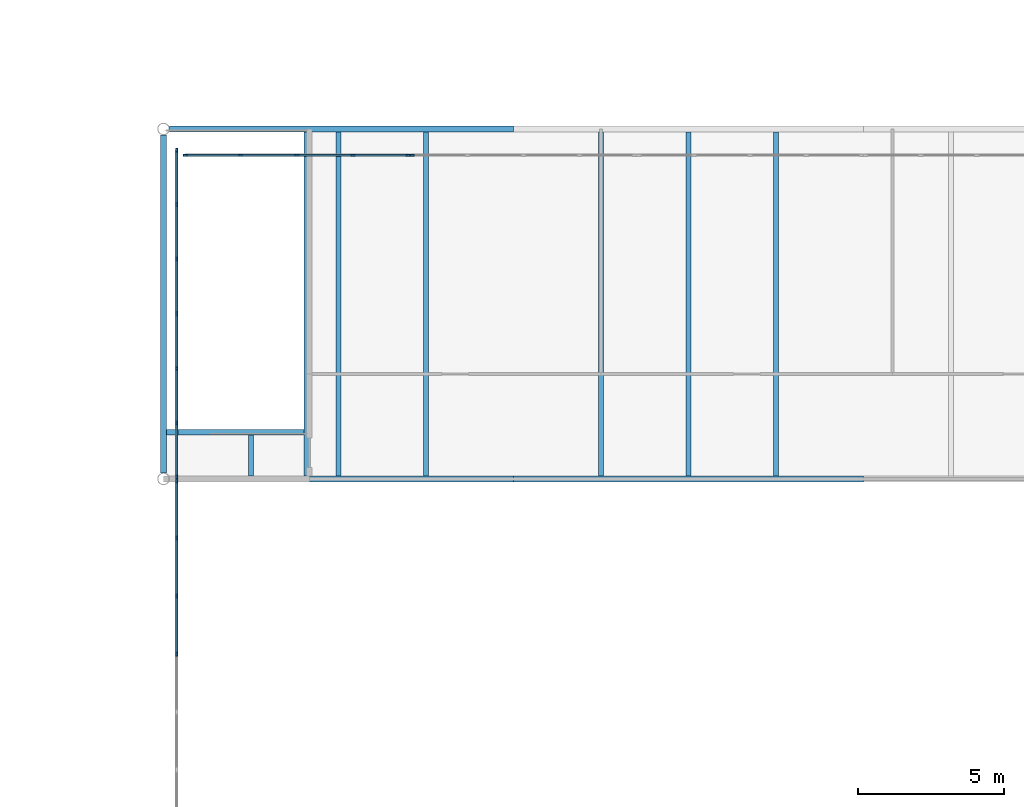
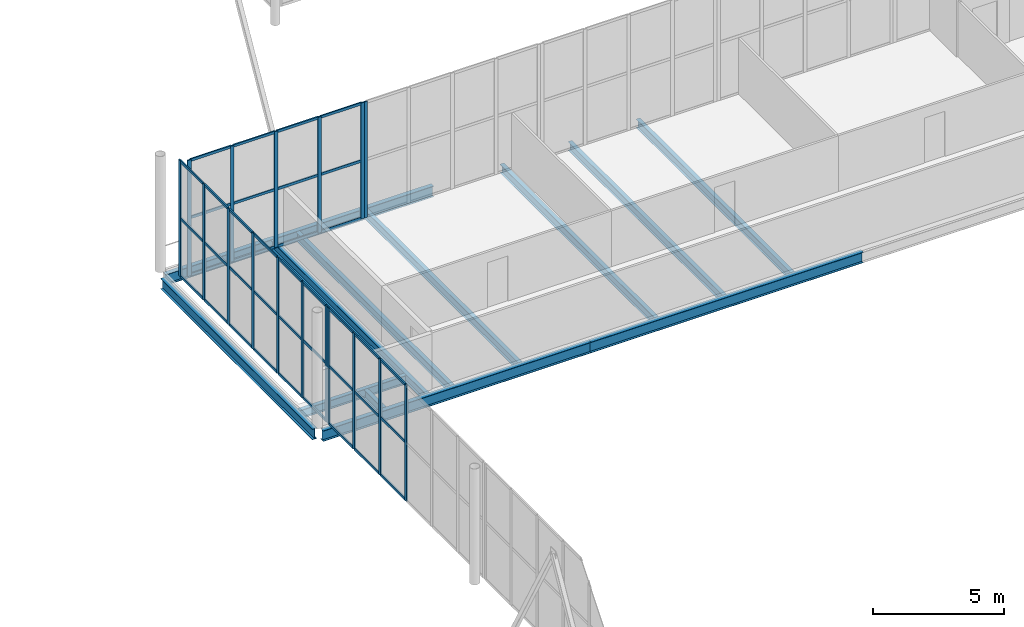
# One storey, part 55 of 170: 56 members, 12 beams, 4 elements without a shape of their own.
"""IFC4 building model written with IfcOpenShell, lengths in metres."""

from ifc_helpers import new_model, si_unit, direction, frame, origin, origin_2d, place, context, subcontext, project, spatial, rectangle, i_section, extrude, material, layer, layer_set, material_profile, profile_set, type_object, element, aggregate, save


model = new_model("IFC4")

# Units and contexts
model_context = context("Model", 3, precision=1e-05, world=origin(), true_north=direction((0.0, 1.0)))
body_context = subcontext(model_context, "Body", "Model", "MODEL_VIEW")
ifc_project = project(units=[si_unit("LENGTHUNIT", "METRE"), si_unit("AREAUNIT", "SQUARE_METRE"), si_unit("VOLUMEUNIT", "CUBIC_METRE"), si_unit("PLANEANGLEUNIT", "RADIAN"), si_unit("MASSUNIT", "GRAM", prefix="KILO")], contexts=[model_context])

# Site, building, storey
site_placement = place(None, origin())
site = spatial("IfcSite", under=ifc_project, at=site_placement, CompositionType="ELEMENT")
building_placement = place(site_placement, origin())
building = spatial("IfcBuilding", under=site, at=building_placement, Name="Ravi Spectrum Wholesale Market", CompositionType="ELEMENT")
storey_placement = place(building_placement, frame((0.0, 0.0, 5.39990234375)))
storey = spatial("IfcBuildingStorey", under=building, at=storey_placement, Name="L01", CompositionType="ELEMENT", Elevation=5.39990234375)

# Beams
ifc_material_1 = material(Name="Steel S355", Category="steel")
ifc_material_profile_1 = material_profile(ifc_material_1, i_section(OverallWidth=0.179931640625, OverallDepth=0.39990234375, WebThickness=0.008544921875, FlangeThickness=0.013427734375, at=origin_2d()))
ifc_profile_set_1 = profile_set([ifc_material_profile_1], Name="Steel S355")
beam_type_1 = type_object("IfcBeamType", Name="IPE 400 beam", PredefinedType="BEAM", material=ifc_profile_set_1)
beam_1_placement = place(storey_placement, frame((153.0, 114.10009765625, -0.449951171875), z_axis=(0.0, 1.0, 0.0), x_axis=(-1.0, 0.0, 0.0)))
element("IfcBeam", 1, at=beam_1_placement, inside=storey, type_object=beam_type_1, Name="H2-BM-L01-011", PredefinedType="BEAM", context=body_context, shape_type="SweptSolid", body=[
    extrude(i_section(OverallWidth=0.179931640625, OverallDepth=0.39990234375, WebThickness=0.008544921875, FlangeThickness=0.013427734375, at=origin_2d()), origin(), (0.0, 0.0, 1.0), 1.409912109375),
])
for number, where, z_axis, x_axis, name in (
    (2, (154.89990234375, 114.10009765625, -0.449951171875), (0.0, 1.0, 0.0), (-1.0, 0.0, 0.0), "H2-BM-L01-012"),
    (3, (156.0, 114.10009765625, -0.449951171875), (0.0, 1.0, 0.0), (-1.0, 0.0, 0.0), "H2-BM-L01-013"),
    (4, (159.0, 114.10009765625, -0.449951171875), (0.0, 1.0, 0.0), (-1.0, 0.0, 0.0), "H2-BM-L01-014"),
    (5, (165.0, 114.10009765625, -0.449951171875), (0.0, 1.0, 0.0), (-1.0, 0.0, 0.0), "H2-BM-L01-015"),
    (6, (168.0, 114.10009765625, -0.449951171875), (0.0, 1.0, 0.0), (-1.0, 0.0, 0.0), "H2-BM-L01-016"),
    (7, (171.0, 114.10009765625, -0.449951171875), (0.0, 1.0, 0.0), (-1.0, 0.0, 0.0), "H2-BM-L01-017"),
):
    element("IfcBeam", number, at=place(storey_placement, frame(where, z_axis=z_axis, x_axis=x_axis)), inside=storey, type_object=beam_type_1, Name=name, PredefinedType="BEAM", context=body_context, shape_type="SweptSolid", body=[
        extrude(i_section(OverallWidth=0.179931640625, OverallDepth=0.39990234375, WebThickness=0.008544921875, FlangeThickness=0.013427734375, at=origin_2d()), origin(), (0.0, 0.0, 1.0), 11.7998046875),
    ])
beam_2_placement = place(storey_placement, frame((150.10009765625, 115.60009765625, -0.449951171875), z_axis=(1.0, 0.0, 0.0), x_axis=(0.0, 1.0, 0.0)))
element("IfcBeam", 8, at=beam_2_placement, inside=storey, type_object=beam_type_1, Name="H2-BM-L01-029", PredefinedType="BEAM", context=body_context, shape_type="SweptSolid", body=[
    extrude(i_section(OverallWidth=0.179931640625, OverallDepth=0.39990234375, WebThickness=0.008544921875, FlangeThickness=0.013427734375, at=origin_2d()), origin(), (0.0, 0.0, 1.0), 4.7099609375),
])
ifc_material_2 = material(Name="Steel S355", Category="steel")
ifc_material_profile_2 = material_profile(ifc_material_2, i_section(OverallWidth=0.199951171875, OverallDepth=0.5, WebThickness=0.01025390625, FlangeThickness=0.01611328125, at=origin_2d()))
ifc_profile_set_2 = profile_set([ifc_material_profile_2], Name="Steel S355")
beam_type_2 = type_object("IfcBeamType", Name="IPE 500 girder", PredefinedType="BEAM", material=ifc_profile_set_2)
beam_3_placement = place(storey_placement, frame((150.203125, 114.0, -0.5), z_axis=(1.0, 0.0, 0.0), x_axis=(0.0, 1.0, 0.0)))
element("IfcBeam", 9, at=beam_3_placement, inside=storey, type_object=beam_type_2, Name="H2-BM-L01-001", PredefinedType="BEAM", context=body_context, shape_type="SweptSolid", body=[
    extrude(i_section(OverallWidth=0.199951171875, OverallDepth=0.5, WebThickness=0.01025390625, FlangeThickness=0.01611328125, at=origin_2d()), origin(), (0.0, 0.0, 1.0), 11.796875),
])
beam_4_placement = place(storey_placement, frame((162.0, 114.0, -0.5), z_axis=(1.0, 0.0, 0.0), x_axis=(0.0, 1.0, 0.0)))
element("IfcBeam", 10, at=beam_4_placement, inside=storey, type_object=beam_type_2, Name="H2-BM-L01-002", PredefinedType="BEAM", context=body_context, shape_type="SweptSolid", body=[
    extrude(i_section(OverallWidth=0.199951171875, OverallDepth=0.5, WebThickness=0.01025390625, FlangeThickness=0.01611328125, at=origin_2d()), origin(), (0.0, 0.0, 1.0), 12.0),
])
beam_5_placement = place(storey_placement, frame((150.203125, 126.0, -0.5), z_axis=(1.0, 0.0, 0.0), x_axis=(0.0, 1.0, 0.0)))
element("IfcBeam", 11, at=beam_5_placement, inside=storey, type_object=beam_type_2, Name="H2-BM-L01-005", PredefinedType="BEAM", context=body_context, shape_type="SweptSolid", body=[
    extrude(i_section(OverallWidth=0.199951171875, OverallDepth=0.5, WebThickness=0.01025390625, FlangeThickness=0.01611328125, at=origin_2d()), origin(), (0.0, 0.0, 1.0), 11.796875),
])
beam_6_placement = place(storey_placement, frame((150.0, 114.203125, -0.5), z_axis=(0.0, 1.0, 0.0), x_axis=(-1.0, 0.0, 0.0)))
element("IfcBeam", 12, at=beam_6_placement, inside=storey, type_object=beam_type_2, Name="H2-BM-L01-009", PredefinedType="BEAM", context=body_context, shape_type="SweptSolid", body=[
    extrude(i_section(OverallWidth=0.199951171875, OverallDepth=0.5, WebThickness=0.01025390625, FlangeThickness=0.01611328125, at=origin_2d()), origin(), (0.0, 0.0, 1.0), 11.59375),
])

# Curtain wall, members
ifc_material_3 = material(Name="Aluminium 6063-T6", Category="aluminium")
ifc_layer = layer(ifc_material_3, 0.14990234375)
ifc_layer_set = layer_set([ifc_layer], Name="Aluminium 6063-T6")
curtain_wall_type = type_object("IfcCurtainWallType", Name="Curtain wall 150", PredefinedType="NOTDEFINED", material=ifc_layer_set)
curtain_wall_1_placement = place(storey_placement, origin())
curtain_wall_1 = element("IfcCurtainWall", 13, at=curtain_wall_1_placement, inside=storey, type_object=curtain_wall_type, Name="H2-CW-L01-003", PredefinedType="NOTDEFINED")
ifc_material_4 = material(Name="Aluminium 6063-T6", Category="aluminium")
ifc_material_profile_3 = material_profile(ifc_material_4, rectangle(XDim=0.06005859375, YDim=0.159912109375, at=origin_2d()))
ifc_profile_set_3 = profile_set([ifc_material_profile_3], Name="Aluminium 6063-T6")
member_type_1 = type_object("IfcMemberType", Name="Mullion 60 x 160", PredefinedType="MULLION", material=ifc_profile_set_3)
member_1_placement = place(storey_placement, frame((150.453125, 108.0, 0.0), z_axis=(0.0, 0.0, 1.0), x_axis=(-1.0, 0.0, 0.0)))
member_1 = element("IfcMember", 14, at=member_1_placement, type_object=member_type_1, Name="H2-CW-L01-003 mullion 4", PredefinedType="MULLION", context=body_context, shape_type="SweptSolid", body=[
    extrude(rectangle(XDim=0.06005859375, YDim=0.159912109375, at=origin_2d()), origin(), (0.0, 0.0, 1.0), 5.400146484375),
])
member_2_placement = place(storey_placement, frame((150.453125, 109.986572265625, 0.0), z_axis=(0.0, 0.0, 1.0), x_axis=(-1.0, 0.0, 0.0)))
member_2 = element("IfcMember", 15, at=member_2_placement, type_object=member_type_1, Name="H2-CW-L01-003 mullion 5", PredefinedType="MULLION", context=body_context, shape_type="SweptSolid", body=[
    extrude(rectangle(XDim=0.06005859375, YDim=0.159912109375, at=origin_2d()), origin(), (0.0, 0.0, 1.0), 5.400146484375),
])
member_3_placement = place(storey_placement, frame((150.453125, 111.973388671875, 0.0), z_axis=(0.0, 0.0, 1.0), x_axis=(-1.0, 0.0, 0.0)))
member_3 = element("IfcMember", 16, at=member_3_placement, type_object=member_type_1, Name="H2-CW-L01-003 mullion 6", PredefinedType="MULLION", context=body_context, shape_type="SweptSolid", body=[
    extrude(rectangle(XDim=0.06005859375, YDim=0.159912109375, at=origin_2d()), origin(), (0.0, 0.0, 1.0), 5.400146484375),
])
member_4_placement = place(storey_placement, frame((150.453125, 113.929931640625, 0.0), z_axis=(0.0, 0.0, 1.0), x_axis=(-1.0, 0.0, 0.0)))
member_4 = element("IfcMember", 17, at=member_4_placement, type_object=member_type_1, Name="H2-CW-L01-003 mullion 7", PredefinedType="MULLION", context=body_context, shape_type="SweptSolid", body=[
    extrude(rectangle(XDim=0.06005859375, YDim=0.159912109375, at=origin_2d()), origin(), (0.0, 0.0, 1.0), 5.400146484375),
])

curtain_wall_2_placement = place(storey_placement, origin())
curtain_wall_2 = element("IfcCurtainWall", 18, at=curtain_wall_2_placement, inside=storey, type_object=curtain_wall_type, Name="H2-CW-L01-004", PredefinedType="NOTDEFINED")
member_5_placement = place(storey_placement, frame((150.453125, 114.070068359375, 0.0), z_axis=(0.0, 0.0, 1.0), x_axis=(-1.0, 0.0, 0.0)))
member_5 = element("IfcMember", 19, at=member_5_placement, type_object=member_type_1, Name="H2-CW-L01-004 mullion 1", PredefinedType="MULLION", context=body_context, shape_type="SweptSolid", body=[
    extrude(rectangle(XDim=0.06005859375, YDim=0.159912109375, at=origin_2d()), origin(), (0.0, 0.0, 1.0), 5.400146484375),
])
member_6_placement = place(storey_placement, frame((150.453125, 115.9150390625, 0.0), z_axis=(0.0, 0.0, 1.0), x_axis=(-1.0, 0.0, 0.0)))
member_6 = element("IfcMember", 20, at=member_6_placement, type_object=member_type_1, Name="H2-CW-L01-004 mullion 2", PredefinedType="MULLION", context=body_context, shape_type="SweptSolid", body=[
    extrude(rectangle(XDim=0.06005859375, YDim=0.159912109375, at=origin_2d()), origin(), (0.0, 0.0, 1.0), 5.400146484375),
])
member_7_placement = place(storey_placement, frame((150.453125, 117.7900390625, 0.0), z_axis=(0.0, 0.0, 1.0), x_axis=(-1.0, 0.0, 0.0)))
member_7 = element("IfcMember", 21, at=member_7_placement, type_object=member_type_1, Name="H2-CW-L01-004 mullion 3", PredefinedType="MULLION", context=body_context, shape_type="SweptSolid", body=[
    extrude(rectangle(XDim=0.06005859375, YDim=0.159912109375, at=origin_2d()), origin(), (0.0, 0.0, 1.0), 5.400146484375),
])
member_8_placement = place(storey_placement, frame((150.453125, 119.6650390625, 0.0), z_axis=(0.0, 0.0, 1.0), x_axis=(-1.0, 0.0, 0.0)))
member_8 = element("IfcMember", 22, at=member_8_placement, type_object=member_type_1, Name="H2-CW-L01-004 mullion 4", PredefinedType="MULLION", context=body_context, shape_type="SweptSolid", body=[
    extrude(rectangle(XDim=0.06005859375, YDim=0.159912109375, at=origin_2d()), origin(), (0.0, 0.0, 1.0), 5.400146484375),
])
member_9_placement = place(storey_placement, frame((150.453125, 121.5400390625, 0.0), z_axis=(0.0, 0.0, 1.0), x_axis=(-1.0, 0.0, 0.0)))
member_9 = element("IfcMember", 23, at=member_9_placement, type_object=member_type_1, Name="H2-CW-L01-004 mullion 5", PredefinedType="MULLION", context=body_context, shape_type="SweptSolid", body=[
    extrude(rectangle(XDim=0.06005859375, YDim=0.159912109375, at=origin_2d()), origin(), (0.0, 0.0, 1.0), 5.400146484375),
])
member_10_placement = place(storey_placement, frame((150.453125, 123.4150390625, 0.0), z_axis=(0.0, 0.0, 1.0), x_axis=(-1.0, 0.0, 0.0)))
member_10 = element("IfcMember", 24, at=member_10_placement, type_object=member_type_1, Name="H2-CW-L01-004 mullion 6", PredefinedType="MULLION", context=body_context, shape_type="SweptSolid", body=[
    extrude(rectangle(XDim=0.06005859375, YDim=0.159912109375, at=origin_2d()), origin(), (0.0, 0.0, 1.0), 5.400146484375),
])
member_11_placement = place(storey_placement, frame((150.453125, 125.260009765625, 0.0), z_axis=(0.0, 0.0, 1.0), x_axis=(-1.0, 0.0, 0.0)))
member_11 = element("IfcMember", 25, at=member_11_placement, type_object=member_type_1, Name="H2-CW-L01-004 mullion 7", PredefinedType="MULLION", context=body_context, shape_type="SweptSolid", body=[
    extrude(rectangle(XDim=0.06005859375, YDim=0.159912109375, at=origin_2d()), origin(), (0.0, 0.0, 1.0), 5.400146484375),
])

curtain_wall_3_placement = place(storey_placement, origin())
curtain_wall_3 = element("IfcCurtainWall", 26, at=curtain_wall_3_placement, inside=storey, type_object=curtain_wall_type, Name="H2-CW-L01-015", PredefinedType="NOTDEFINED")
member_12_placement = place(storey_placement, frame((150.753173828125, 125.10009765625, 0.0), z_axis=(0.0, 0.0, 1.0), x_axis=(0.0, 1.0, 0.0)))
member_12 = element("IfcMember", 27, at=member_12_placement, type_object=member_type_1, Name="H2-CW-L01-015 mullion 1", PredefinedType="MULLION", context=body_context, shape_type="SweptSolid", body=[
    extrude(rectangle(XDim=0.06005859375, YDim=0.159912109375, at=origin_2d()), origin(), (0.0, 0.0, 1.0), 5.400146484375),
])
member_13_placement = place(storey_placement, frame((152.646240234375, 125.10009765625, 0.0), z_axis=(0.0, 0.0, 1.0), x_axis=(0.0, 1.0, 0.0)))
member_13 = element("IfcMember", 28, at=member_13_placement, type_object=member_type_1, Name="H2-CW-L01-015 mullion 2", PredefinedType="MULLION", context=body_context, shape_type="SweptSolid", body=[
    extrude(rectangle(XDim=0.06005859375, YDim=0.159912109375, at=origin_2d()), origin(), (0.0, 0.0, 1.0), 5.400146484375),
])
member_14_placement = place(storey_placement, frame((154.5693359375, 125.10009765625, 0.0), z_axis=(0.0, 0.0, 1.0), x_axis=(0.0, 1.0, 0.0)))
member_14 = element("IfcMember", 29, at=member_14_placement, type_object=member_type_1, Name="H2-CW-L01-015 mullion 3", PredefinedType="MULLION", context=body_context, shape_type="SweptSolid", body=[
    extrude(rectangle(XDim=0.06005859375, YDim=0.159912109375, at=origin_2d()), origin(), (0.0, 0.0, 1.0), 5.400146484375),
])
member_15_placement = place(storey_placement, frame((156.492431640625, 125.10009765625, 0.0), z_axis=(0.0, 0.0, 1.0), x_axis=(0.0, 1.0, 0.0)))
member_15 = element("IfcMember", 30, at=member_15_placement, type_object=member_type_1, Name="H2-CW-L01-015 mullion 4", PredefinedType="MULLION", context=body_context, shape_type="SweptSolid", body=[
    extrude(rectangle(XDim=0.06005859375, YDim=0.159912109375, at=origin_2d()), origin(), (0.0, 0.0, 1.0), 5.400146484375),
])
member_16_placement = place(storey_placement, frame((158.385498046875, 125.10009765625, 0.0), z_axis=(0.0, 0.0, 1.0), x_axis=(0.0, 1.0, 0.0)))
member_16 = element("IfcMember", 31, at=member_16_placement, type_object=member_type_1, Name="H2-CW-L01-015 mullion 5", PredefinedType="MULLION", context=body_context, shape_type="SweptSolid", body=[
    extrude(rectangle(XDim=0.06005859375, YDim=0.159912109375, at=origin_2d()), origin(), (0.0, 0.0, 1.0), 5.400146484375),
])

# Curtain wall, member
curtain_wall_4_placement = place(storey_placement, origin())
curtain_wall_4 = element("IfcCurtainWall", 32, at=curtain_wall_4_placement, inside=storey, type_object=curtain_wall_type, Name="H2-CW-L01-016", PredefinedType="NOTDEFINED")
member_17_placement = place(storey_placement, frame((158.525390625, 125.10009765625, 0.0), z_axis=(0.0, 0.0, 1.0), x_axis=(0.0, 1.0, 0.0)))
member_17 = element("IfcMember", 33, at=member_17_placement, type_object=member_type_1, Name="H2-CW-L01-016 mullion 1", PredefinedType="MULLION", context=body_context, shape_type="SweptSolid", body=[
    extrude(rectangle(XDim=0.06005859375, YDim=0.159912109375, at=origin_2d()), origin(), (0.0, 0.0, 1.0), 5.400146484375),
])
aggregate(curtain_wall_4, [member_17])

# Member
ifc_material_5 = material(Name="Aluminium 6063-T6", Category="aluminium")
ifc_material_profile_4 = material_profile(ifc_material_5, rectangle(XDim=0.06005859375, YDim=0.1201171875, at=origin_2d()))
ifc_profile_set_4 = profile_set([ifc_material_profile_4], Name="Aluminium 6063-T6")
member_type_2 = type_object("IfcMemberType", Name="Transom 60 x 120", PredefinedType="USERDEFINED", material=ifc_profile_set_4)
member_18_placement = place(storey_placement, frame((150.453125, 108.030029296875, 0.030029296875), z_axis=(0.0, 1.0, 0.0), x_axis=(-1.0, 0.0, 0.0)))
member_18 = element("IfcMember", 34, at=member_18_placement, type_object=member_type_2, Name="H2-CW-L01-003 transom 4.1", ObjectType="TRANSOM", PredefinedType="USERDEFINED", context=body_context, shape_type="SweptSolid", body=[
    extrude(rectangle(XDim=0.06005859375, YDim=0.1201171875, at=origin_2d()), origin(), (0.0, 0.0, 1.0), 1.9267578125),
])

member_19_placement = place(storey_placement, frame((150.453125, 108.030029296875, 2.7001953125), z_axis=(0.0, 1.0, 0.0), x_axis=(-1.0, 0.0, 0.0)))
member_19 = element("IfcMember", 35, at=member_19_placement, type_object=member_type_2, Name="H2-CW-L01-003 transom 4.2", ObjectType="TRANSOM", PredefinedType="USERDEFINED", context=body_context, shape_type="SweptSolid", body=[
    extrude(rectangle(XDim=0.06005859375, YDim=0.1201171875, at=origin_2d()), origin(), (0.0, 0.0, 1.0), 1.9267578125),
])

member_20_placement = place(storey_placement, frame((150.453125, 108.030029296875, 5.3701171875), z_axis=(0.0, 1.0, 0.0), x_axis=(-1.0, 0.0, 0.0)))
member_20 = element("IfcMember", 36, at=member_20_placement, type_object=member_type_2, Name="H2-CW-L01-003 transom 4.3", ObjectType="TRANSOM", PredefinedType="USERDEFINED", context=body_context, shape_type="SweptSolid", body=[
    extrude(rectangle(XDim=0.06005859375, YDim=0.1201171875, at=origin_2d()), origin(), (0.0, 0.0, 1.0), 1.9267578125),
])

member_21_placement = place(storey_placement, frame((150.453125, 110.0166015625, 0.030029296875), z_axis=(0.0, 1.0, 0.0), x_axis=(-1.0, 0.0, 0.0)))
member_21 = element("IfcMember", 37, at=member_21_placement, type_object=member_type_2, Name="H2-CW-L01-003 transom 5.1", ObjectType="TRANSOM", PredefinedType="USERDEFINED", context=body_context, shape_type="SweptSolid", body=[
    extrude(rectangle(XDim=0.06005859375, YDim=0.1201171875, at=origin_2d()), origin(), (0.0, 0.0, 1.0), 1.9267578125),
])

member_22_placement = place(storey_placement, frame((150.453125, 110.0166015625, 2.7001953125), z_axis=(0.0, 1.0, 0.0), x_axis=(-1.0, 0.0, 0.0)))
member_22 = element("IfcMember", 38, at=member_22_placement, type_object=member_type_2, Name="H2-CW-L01-003 transom 5.2", ObjectType="TRANSOM", PredefinedType="USERDEFINED", context=body_context, shape_type="SweptSolid", body=[
    extrude(rectangle(XDim=0.06005859375, YDim=0.1201171875, at=origin_2d()), origin(), (0.0, 0.0, 1.0), 1.9267578125),
])

member_23_placement = place(storey_placement, frame((150.453125, 110.0166015625, 5.3701171875), z_axis=(0.0, 1.0, 0.0), x_axis=(-1.0, 0.0, 0.0)))
member_23 = element("IfcMember", 39, at=member_23_placement, type_object=member_type_2, Name="H2-CW-L01-003 transom 5.3", ObjectType="TRANSOM", PredefinedType="USERDEFINED", context=body_context, shape_type="SweptSolid", body=[
    extrude(rectangle(XDim=0.06005859375, YDim=0.1201171875, at=origin_2d()), origin(), (0.0, 0.0, 1.0), 1.9267578125),
])

member_24_placement = place(storey_placement, frame((150.453125, 112.00341796875, 0.030029296875), z_axis=(0.0, 1.0, 0.0), x_axis=(-1.0, 0.0, 0.0)))
member_24 = element("IfcMember", 40, at=member_24_placement, type_object=member_type_2, Name="H2-CW-L01-003 transom 6.1", ObjectType="TRANSOM", PredefinedType="USERDEFINED", context=body_context, shape_type="SweptSolid", body=[
    extrude(rectangle(XDim=0.06005859375, YDim=0.1201171875, at=origin_2d()), origin(), (0.0, 0.0, 1.0), 1.896484375),
])

member_25_placement = place(storey_placement, frame((150.453125, 112.00341796875, 2.7001953125), z_axis=(0.0, 1.0, 0.0), x_axis=(-1.0, 0.0, 0.0)))
member_25 = element("IfcMember", 41, at=member_25_placement, type_object=member_type_2, Name="H2-CW-L01-003 transom 6.2", ObjectType="TRANSOM", PredefinedType="USERDEFINED", context=body_context, shape_type="SweptSolid", body=[
    extrude(rectangle(XDim=0.06005859375, YDim=0.1201171875, at=origin_2d()), origin(), (0.0, 0.0, 1.0), 1.896484375),
])

member_26_placement = place(storey_placement, frame((150.453125, 112.00341796875, 5.3701171875), z_axis=(0.0, 1.0, 0.0), x_axis=(-1.0, 0.0, 0.0)))
member_26 = element("IfcMember", 42, at=member_26_placement, type_object=member_type_2, Name="H2-CW-L01-003 transom 6.3", ObjectType="TRANSOM", PredefinedType="USERDEFINED", context=body_context, shape_type="SweptSolid", body=[
    extrude(rectangle(XDim=0.06005859375, YDim=0.1201171875, at=origin_2d()), origin(), (0.0, 0.0, 1.0), 1.896484375),
])

aggregate(curtain_wall_1, [member_1, member_2, member_3, member_4, member_18, member_19, member_20, member_21, member_22, member_23, member_24, member_25, member_26])

member_27_placement = place(storey_placement, frame((150.453125, 114.10009765625, 0.030029296875), z_axis=(0.0, 1.0, 0.0), x_axis=(-1.0, 0.0, 0.0)))
member_27 = element("IfcMember", 43, at=member_27_placement, type_object=member_type_2, Name="H2-CW-L01-004 transom 1.1", ObjectType="TRANSOM", PredefinedType="USERDEFINED", context=body_context, shape_type="SweptSolid", body=[
    extrude(rectangle(XDim=0.06005859375, YDim=0.1201171875, at=origin_2d()), origin(), (0.0, 0.0, 1.0), 1.784912109375),
])

member_28_placement = place(storey_placement, frame((150.453125, 114.10009765625, 2.7001953125), z_axis=(0.0, 1.0, 0.0), x_axis=(-1.0, 0.0, 0.0)))
member_28 = element("IfcMember", 44, at=member_28_placement, type_object=member_type_2, Name="H2-CW-L01-004 transom 1.2", ObjectType="TRANSOM", PredefinedType="USERDEFINED", context=body_context, shape_type="SweptSolid", body=[
    extrude(rectangle(XDim=0.06005859375, YDim=0.1201171875, at=origin_2d()), origin(), (0.0, 0.0, 1.0), 1.784912109375),
])

member_29_placement = place(storey_placement, frame((150.453125, 114.10009765625, 5.3701171875), z_axis=(0.0, 1.0, 0.0), x_axis=(-1.0, 0.0, 0.0)))
member_29 = element("IfcMember", 45, at=member_29_placement, type_object=member_type_2, Name="H2-CW-L01-004 transom 1.3", ObjectType="TRANSOM", PredefinedType="USERDEFINED", context=body_context, shape_type="SweptSolid", body=[
    extrude(rectangle(XDim=0.06005859375, YDim=0.1201171875, at=origin_2d()), origin(), (0.0, 0.0, 1.0), 1.784912109375),
])

member_30_placement = place(storey_placement, frame((150.453125, 115.945068359375, 0.030029296875), z_axis=(0.0, 1.0, 0.0), x_axis=(-1.0, 0.0, 0.0)))
member_30 = element("IfcMember", 46, at=member_30_placement, type_object=member_type_2, Name="H2-CW-L01-004 transom 2.1", ObjectType="TRANSOM", PredefinedType="USERDEFINED", context=body_context, shape_type="SweptSolid", body=[
    extrude(rectangle(XDim=0.06005859375, YDim=0.1201171875, at=origin_2d()), origin(), (0.0, 0.0, 1.0), 1.81494140625),
])

member_31_placement = place(storey_placement, frame((150.453125, 115.945068359375, 2.7001953125), z_axis=(0.0, 1.0, 0.0), x_axis=(-1.0, 0.0, 0.0)))
member_31 = element("IfcMember", 47, at=member_31_placement, type_object=member_type_2, Name="H2-CW-L01-004 transom 2.2", ObjectType="TRANSOM", PredefinedType="USERDEFINED", context=body_context, shape_type="SweptSolid", body=[
    extrude(rectangle(XDim=0.06005859375, YDim=0.1201171875, at=origin_2d()), origin(), (0.0, 0.0, 1.0), 1.81494140625),
])

member_32_placement = place(storey_placement, frame((150.453125, 115.945068359375, 5.3701171875), z_axis=(0.0, 1.0, 0.0), x_axis=(-1.0, 0.0, 0.0)))
member_32 = element("IfcMember", 48, at=member_32_placement, type_object=member_type_2, Name="H2-CW-L01-004 transom 2.3", ObjectType="TRANSOM", PredefinedType="USERDEFINED", context=body_context, shape_type="SweptSolid", body=[
    extrude(rectangle(XDim=0.06005859375, YDim=0.1201171875, at=origin_2d()), origin(), (0.0, 0.0, 1.0), 1.81494140625),
])

member_33_placement = place(storey_placement, frame((150.453125, 117.820068359375, 0.030029296875), z_axis=(0.0, 1.0, 0.0), x_axis=(-1.0, 0.0, 0.0)))
member_33 = element("IfcMember", 49, at=member_33_placement, type_object=member_type_2, Name="H2-CW-L01-004 transom 3.1", ObjectType="TRANSOM", PredefinedType="USERDEFINED", context=body_context, shape_type="SweptSolid", body=[
    extrude(rectangle(XDim=0.06005859375, YDim=0.1201171875, at=origin_2d()), origin(), (0.0, 0.0, 1.0), 1.81494140625),
])

member_34_placement = place(storey_placement, frame((150.453125, 117.820068359375, 2.7001953125), z_axis=(0.0, 1.0, 0.0), x_axis=(-1.0, 0.0, 0.0)))
member_34 = element("IfcMember", 50, at=member_34_placement, type_object=member_type_2, Name="H2-CW-L01-004 transom 3.2", ObjectType="TRANSOM", PredefinedType="USERDEFINED", context=body_context, shape_type="SweptSolid", body=[
    extrude(rectangle(XDim=0.06005859375, YDim=0.1201171875, at=origin_2d()), origin(), (0.0, 0.0, 1.0), 1.81494140625),
])

member_35_placement = place(storey_placement, frame((150.453125, 117.820068359375, 5.3701171875), z_axis=(0.0, 1.0, 0.0), x_axis=(-1.0, 0.0, 0.0)))
member_35 = element("IfcMember", 51, at=member_35_placement, type_object=member_type_2, Name="H2-CW-L01-004 transom 3.3", ObjectType="TRANSOM", PredefinedType="USERDEFINED", context=body_context, shape_type="SweptSolid", body=[
    extrude(rectangle(XDim=0.06005859375, YDim=0.1201171875, at=origin_2d()), origin(), (0.0, 0.0, 1.0), 1.81494140625),
])

member_36_placement = place(storey_placement, frame((150.453125, 119.695068359375, 0.030029296875), z_axis=(0.0, 1.0, 0.0), x_axis=(-1.0, 0.0, 0.0)))
member_36 = element("IfcMember", 52, at=member_36_placement, type_object=member_type_2, Name="H2-CW-L01-004 transom 4.1", ObjectType="TRANSOM", PredefinedType="USERDEFINED", context=body_context, shape_type="SweptSolid", body=[
    extrude(rectangle(XDim=0.06005859375, YDim=0.1201171875, at=origin_2d()), origin(), (0.0, 0.0, 1.0), 1.81494140625),
])

member_37_placement = place(storey_placement, frame((150.453125, 119.695068359375, 2.7001953125), z_axis=(0.0, 1.0, 0.0), x_axis=(-1.0, 0.0, 0.0)))
member_37 = element("IfcMember", 53, at=member_37_placement, type_object=member_type_2, Name="H2-CW-L01-004 transom 4.2", ObjectType="TRANSOM", PredefinedType="USERDEFINED", context=body_context, shape_type="SweptSolid", body=[
    extrude(rectangle(XDim=0.06005859375, YDim=0.1201171875, at=origin_2d()), origin(), (0.0, 0.0, 1.0), 1.81494140625),
])

member_38_placement = place(storey_placement, frame((150.453125, 119.695068359375, 5.3701171875), z_axis=(0.0, 1.0, 0.0), x_axis=(-1.0, 0.0, 0.0)))
member_38 = element("IfcMember", 54, at=member_38_placement, type_object=member_type_2, Name="H2-CW-L01-004 transom 4.3", ObjectType="TRANSOM", PredefinedType="USERDEFINED", context=body_context, shape_type="SweptSolid", body=[
    extrude(rectangle(XDim=0.06005859375, YDim=0.1201171875, at=origin_2d()), origin(), (0.0, 0.0, 1.0), 1.81494140625),
])

member_39_placement = place(storey_placement, frame((150.453125, 121.570068359375, 0.030029296875), z_axis=(0.0, 1.0, 0.0), x_axis=(-1.0, 0.0, 0.0)))
member_39 = element("IfcMember", 55, at=member_39_placement, type_object=member_type_2, Name="H2-CW-L01-004 transom 5.1", ObjectType="TRANSOM", PredefinedType="USERDEFINED", context=body_context, shape_type="SweptSolid", body=[
    extrude(rectangle(XDim=0.06005859375, YDim=0.1201171875, at=origin_2d()), origin(), (0.0, 0.0, 1.0), 1.81494140625),
])

member_40_placement = place(storey_placement, frame((150.453125, 121.570068359375, 2.7001953125), z_axis=(0.0, 1.0, 0.0), x_axis=(-1.0, 0.0, 0.0)))
member_40 = element("IfcMember", 56, at=member_40_placement, type_object=member_type_2, Name="H2-CW-L01-004 transom 5.2", ObjectType="TRANSOM", PredefinedType="USERDEFINED", context=body_context, shape_type="SweptSolid", body=[
    extrude(rectangle(XDim=0.06005859375, YDim=0.1201171875, at=origin_2d()), origin(), (0.0, 0.0, 1.0), 1.81494140625),
])

member_41_placement = place(storey_placement, frame((150.453125, 121.570068359375, 5.3701171875), z_axis=(0.0, 1.0, 0.0), x_axis=(-1.0, 0.0, 0.0)))
member_41 = element("IfcMember", 57, at=member_41_placement, type_object=member_type_2, Name="H2-CW-L01-004 transom 5.3", ObjectType="TRANSOM", PredefinedType="USERDEFINED", context=body_context, shape_type="SweptSolid", body=[
    extrude(rectangle(XDim=0.06005859375, YDim=0.1201171875, at=origin_2d()), origin(), (0.0, 0.0, 1.0), 1.81494140625),
])

member_42_placement = place(storey_placement, frame((150.453125, 123.445068359375, 0.030029296875), z_axis=(0.0, 1.0, 0.0), x_axis=(-1.0, 0.0, 0.0)))
member_42 = element("IfcMember", 58, at=member_42_placement, type_object=member_type_2, Name="H2-CW-L01-004 transom 6.1", ObjectType="TRANSOM", PredefinedType="USERDEFINED", context=body_context, shape_type="SweptSolid", body=[
    extrude(rectangle(XDim=0.06005859375, YDim=0.1201171875, at=origin_2d()), origin(), (0.0, 0.0, 1.0), 1.784912109375),
])

member_43_placement = place(storey_placement, frame((150.453125, 123.445068359375, 2.7001953125), z_axis=(0.0, 1.0, 0.0), x_axis=(-1.0, 0.0, 0.0)))
member_43 = element("IfcMember", 59, at=member_43_placement, type_object=member_type_2, Name="H2-CW-L01-004 transom 6.2", ObjectType="TRANSOM", PredefinedType="USERDEFINED", context=body_context, shape_type="SweptSolid", body=[
    extrude(rectangle(XDim=0.06005859375, YDim=0.1201171875, at=origin_2d()), origin(), (0.0, 0.0, 1.0), 1.784912109375),
])

member_44_placement = place(storey_placement, frame((150.453125, 123.445068359375, 5.3701171875), z_axis=(0.0, 1.0, 0.0), x_axis=(-1.0, 0.0, 0.0)))
member_44 = element("IfcMember", 60, at=member_44_placement, type_object=member_type_2, Name="H2-CW-L01-004 transom 6.3", ObjectType="TRANSOM", PredefinedType="USERDEFINED", context=body_context, shape_type="SweptSolid", body=[
    extrude(rectangle(XDim=0.06005859375, YDim=0.1201171875, at=origin_2d()), origin(), (0.0, 0.0, 1.0), 1.784912109375),
])

aggregate(curtain_wall_2, [member_5, member_6, member_7, member_8, member_9, member_10, member_11, member_27, member_28, member_29, member_30, member_31, member_32, member_33, member_34, member_35, member_36, member_37, member_38, member_39, member_40, member_41, member_42, member_43, member_44])

member_45_placement = place(storey_placement, frame((150.783203125, 125.10009765625, 0.030029296875), z_axis=(1.0, 0.0, 0.0), x_axis=(0.0, 1.0, 0.0)))
member_45 = element("IfcMember", 61, at=member_45_placement, type_object=member_type_2, Name="H2-CW-L01-015 transom 1.1", ObjectType="TRANSOM", PredefinedType="USERDEFINED", context=body_context, shape_type="SweptSolid", body=[
    extrude(rectangle(XDim=0.06005859375, YDim=0.1201171875, at=origin_2d()), origin(), (0.0, 0.0, 1.0), 1.8330078125),
])

member_46_placement = place(storey_placement, frame((150.783203125, 125.10009765625, 2.7001953125), z_axis=(1.0, 0.0, 0.0), x_axis=(0.0, 1.0, 0.0)))
member_46 = element("IfcMember", 62, at=member_46_placement, type_object=member_type_2, Name="H2-CW-L01-015 transom 1.2", ObjectType="TRANSOM", PredefinedType="USERDEFINED", context=body_context, shape_type="SweptSolid", body=[
    extrude(rectangle(XDim=0.06005859375, YDim=0.1201171875, at=origin_2d()), origin(), (0.0, 0.0, 1.0), 1.8330078125),
])

member_47_placement = place(storey_placement, frame((150.783203125, 125.10009765625, 5.3701171875), z_axis=(1.0, 0.0, 0.0), x_axis=(0.0, 1.0, 0.0)))
member_47 = element("IfcMember", 63, at=member_47_placement, type_object=member_type_2, Name="H2-CW-L01-015 transom 1.3", ObjectType="TRANSOM", PredefinedType="USERDEFINED", context=body_context, shape_type="SweptSolid", body=[
    extrude(rectangle(XDim=0.06005859375, YDim=0.1201171875, at=origin_2d()), origin(), (0.0, 0.0, 1.0), 1.8330078125),
])

member_48_placement = place(storey_placement, frame((152.67626953125, 125.10009765625, 0.030029296875), z_axis=(1.0, 0.0, 0.0), x_axis=(0.0, 1.0, 0.0)))
member_48 = element("IfcMember", 64, at=member_48_placement, type_object=member_type_2, Name="H2-CW-L01-015 transom 2.1", ObjectType="TRANSOM", PredefinedType="USERDEFINED", context=body_context, shape_type="SweptSolid", body=[
    extrude(rectangle(XDim=0.06005859375, YDim=0.1201171875, at=origin_2d()), origin(), (0.0, 0.0, 1.0), 1.863037109375),
])

member_49_placement = place(storey_placement, frame((152.67626953125, 125.10009765625, 2.7001953125), z_axis=(1.0, 0.0, 0.0), x_axis=(0.0, 1.0, 0.0)))
member_49 = element("IfcMember", 65, at=member_49_placement, type_object=member_type_2, Name="H2-CW-L01-015 transom 2.2", ObjectType="TRANSOM", PredefinedType="USERDEFINED", context=body_context, shape_type="SweptSolid", body=[
    extrude(rectangle(XDim=0.06005859375, YDim=0.1201171875, at=origin_2d()), origin(), (0.0, 0.0, 1.0), 1.863037109375),
])

member_50_placement = place(storey_placement, frame((152.67626953125, 125.10009765625, 5.3701171875), z_axis=(1.0, 0.0, 0.0), x_axis=(0.0, 1.0, 0.0)))
member_50 = element("IfcMember", 66, at=member_50_placement, type_object=member_type_2, Name="H2-CW-L01-015 transom 2.3", ObjectType="TRANSOM", PredefinedType="USERDEFINED", context=body_context, shape_type="SweptSolid", body=[
    extrude(rectangle(XDim=0.06005859375, YDim=0.1201171875, at=origin_2d()), origin(), (0.0, 0.0, 1.0), 1.863037109375),
])

member_51_placement = place(storey_placement, frame((154.599365234375, 125.10009765625, 0.030029296875), z_axis=(1.0, 0.0, 0.0), x_axis=(0.0, 1.0, 0.0)))
member_51 = element("IfcMember", 67, at=member_51_placement, type_object=member_type_2, Name="H2-CW-L01-015 transom 3.1", ObjectType="TRANSOM", PredefinedType="USERDEFINED", context=body_context, shape_type="SweptSolid", body=[
    extrude(rectangle(XDim=0.06005859375, YDim=0.1201171875, at=origin_2d()), origin(), (0.0, 0.0, 1.0), 1.863037109375),
])

member_52_placement = place(storey_placement, frame((154.599365234375, 125.10009765625, 2.7001953125), z_axis=(1.0, 0.0, 0.0), x_axis=(0.0, 1.0, 0.0)))
member_52 = element("IfcMember", 68, at=member_52_placement, type_object=member_type_2, Name="H2-CW-L01-015 transom 3.2", ObjectType="TRANSOM", PredefinedType="USERDEFINED", context=body_context, shape_type="SweptSolid", body=[
    extrude(rectangle(XDim=0.06005859375, YDim=0.1201171875, at=origin_2d()), origin(), (0.0, 0.0, 1.0), 1.863037109375),
])

member_53_placement = place(storey_placement, frame((154.599365234375, 125.10009765625, 5.3701171875), z_axis=(1.0, 0.0, 0.0), x_axis=(0.0, 1.0, 0.0)))
member_53 = element("IfcMember", 69, at=member_53_placement, type_object=member_type_2, Name="H2-CW-L01-015 transom 3.3", ObjectType="TRANSOM", PredefinedType="USERDEFINED", context=body_context, shape_type="SweptSolid", body=[
    extrude(rectangle(XDim=0.06005859375, YDim=0.1201171875, at=origin_2d()), origin(), (0.0, 0.0, 1.0), 1.863037109375),
])

member_54_placement = place(storey_placement, frame((156.5224609375, 125.10009765625, 0.030029296875), z_axis=(1.0, 0.0, 0.0), x_axis=(0.0, 1.0, 0.0)))
member_54 = element("IfcMember", 70, at=member_54_placement, type_object=member_type_2, Name="H2-CW-L01-015 transom 4.1", ObjectType="TRANSOM", PredefinedType="USERDEFINED", context=body_context, shape_type="SweptSolid", body=[
    extrude(rectangle(XDim=0.06005859375, YDim=0.1201171875, at=origin_2d()), origin(), (0.0, 0.0, 1.0), 1.8330078125),
])

member_55_placement = place(storey_placement, frame((156.5224609375, 125.10009765625, 2.7001953125), z_axis=(1.0, 0.0, 0.0), x_axis=(0.0, 1.0, 0.0)))
member_55 = element("IfcMember", 71, at=member_55_placement, type_object=member_type_2, Name="H2-CW-L01-015 transom 4.2", ObjectType="TRANSOM", PredefinedType="USERDEFINED", context=body_context, shape_type="SweptSolid", body=[
    extrude(rectangle(XDim=0.06005859375, YDim=0.1201171875, at=origin_2d()), origin(), (0.0, 0.0, 1.0), 1.8330078125),
])

member_56_placement = place(storey_placement, frame((156.5224609375, 125.10009765625, 5.3701171875), z_axis=(1.0, 0.0, 0.0), x_axis=(0.0, 1.0, 0.0)))
member_56 = element("IfcMember", 72, at=member_56_placement, type_object=member_type_2, Name="H2-CW-L01-015 transom 4.3", ObjectType="TRANSOM", PredefinedType="USERDEFINED", context=body_context, shape_type="SweptSolid", body=[
    extrude(rectangle(XDim=0.06005859375, YDim=0.1201171875, at=origin_2d()), origin(), (0.0, 0.0, 1.0), 1.8330078125),
])

aggregate(curtain_wall_3, [member_12, member_13, member_14, member_15, member_16, member_45, member_46, member_47, member_48, member_49, member_50, member_51, member_52, member_53, member_54, member_55, member_56])

save(model, "model.ifc")
